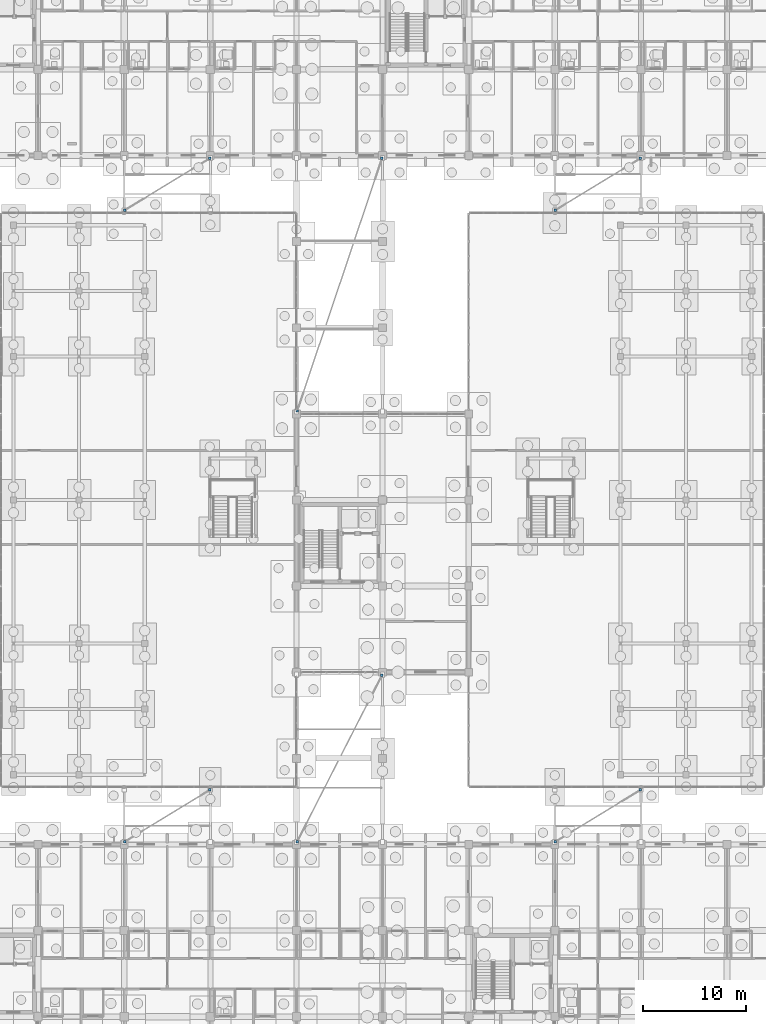
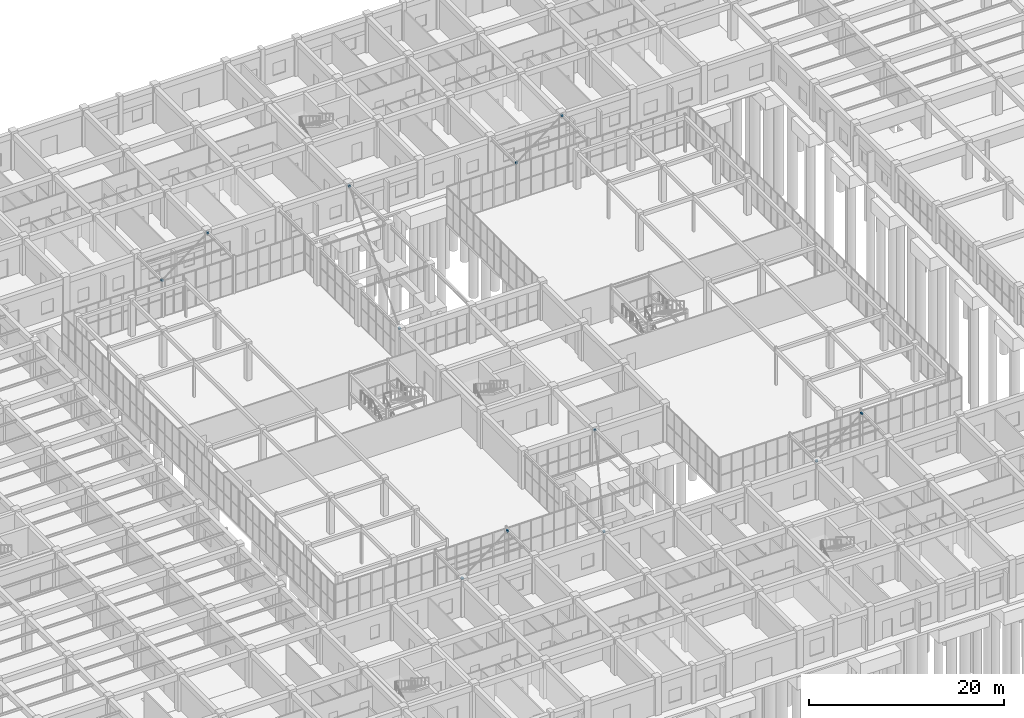
# One storey, part 176 of 192: 12 discrete accessories.
"""IFC4 building model written with IfcOpenShell, lengths in metres."""

from ifc_helpers import new_model, si_unit, direction, frame, origin, origin_2d, place, context, subcontext, project, spatial, rectangle, extrude, material, type_object, element, save


model = new_model("IFC4")

# Units and contexts
model_context = context("Model", 3, precision=1e-05, world=origin(), true_north=direction((0.0, 1.0)))
body_context = subcontext(model_context, "Body", "Model", "MODEL_VIEW")
ifc_project = project(units=[si_unit("LENGTHUNIT", "METRE"), si_unit("AREAUNIT", "SQUARE_METRE"), si_unit("VOLUMEUNIT", "CUBIC_METRE"), si_unit("PLANEANGLEUNIT", "RADIAN"), si_unit("MASSUNIT", "GRAM", prefix="KILO")], contexts=[model_context])

# Site, building, storey
site_placement = place(None, origin())
site = spatial("IfcSite", under=ifc_project, at=site_placement, CompositionType="ELEMENT")
building_placement = place(site_placement, origin())
building = spatial("IfcBuilding", under=site, at=building_placement, Name="Trelvath General Hospital", CompositionType="ELEMENT")
storey_placement = place(building_placement, origin())
storey = spatial("IfcBuildingStorey", under=building, at=storey_placement, Name="L00", CompositionType="ELEMENT", Elevation=0.0)

# Discrete accessories
ifc_material = material(Name="Steel S355", Category="steel")
discrete_accessory_type = type_object("IfcDiscreteAccessoryType", Name="FacadeBracket S355", PredefinedType="BRACKET", material=ifc_material)
for number, where, z_axis, x_axis, name in (
    (1, (75.659912109375, 67.47998046875, 4.26513671875), (0.0, 0.0, 1.0), (1.0, 0.0, 0.0), "Bridge Brace Gusset Node BRG-N-C A L01"),
    (2, (83.93994140625, 92.1201171875, 4.26513671875), (0.0, 0.0, 1.0), (1.0, 0.0, 0.0), "Bridge Brace Gusset Node BRG-N-C B L01"),
    (3, (75.659912109375, 25.47998046875, 4.26513671875), (0.0, 0.0, 1.0), (1.0, 0.0, 0.0), "Bridge Brace Gusset Node BRG-S-C A L01"),
    (4, (83.93994140625, 41.719970703125, 4.26513671875), (0.0, 0.0, 1.0), (1.0, 0.0, 0.0), "Bridge Brace Gusset Node BRG-S-C B L01"),
    (5, (58.860107421875, 87.080078125, 4.2900390625), (0.0, 0.0, 1.0), (1.0, 0.0, 0.0), "Bridge Brace Gusset Node BRG-N-W A L01"),
    (6, (67.139892578125, 92.1201171875, 4.2900390625), (0.0, 0.0, 1.0), (1.0, 0.0, 0.0), "Bridge Brace Gusset Node BRG-N-W B L01"),
    (7, (58.860107421875, 25.47998046875, 4.2900390625), (0.0, 0.0, 1.0), (1.0, 0.0, 0.0), "Bridge Brace Gusset Node BRG-S-W A L01"),
    (8, (67.139892578125, 30.52001953125, 4.2900390625), (0.0, 0.0, 1.0), (1.0, 0.0, 0.0), "Bridge Brace Gusset Node BRG-S-W B L01"),
    (9, (100.860107421875, 87.080078125, 4.2900390625), (0.0, 0.0, 1.0), (1.0, 0.0, 0.0), "Bridge Brace Gusset Node BRG-N-E A L01"),
    (10, (109.139892578125, 92.1201171875, 4.2900390625), (0.0, 0.0, 1.0), (1.0, 0.0, 0.0), "Bridge Brace Gusset Node BRG-N-E B L01"),
    (11, (100.860107421875, 25.47998046875, 4.2900390625), (0.0, 0.0, 1.0), (1.0, 0.0, 0.0), "Bridge Brace Gusset Node BRG-S-E A L01"),
    (12, (109.139892578125, 30.52001953125, 4.2900390625), (0.0, 0.0, 1.0), (1.0, 0.0, 0.0), "Bridge Brace Gusset Node BRG-S-E B L01"),
):
    element("IfcDiscreteAccessory", number, at=place(storey_placement, frame(where, z_axis=z_axis, x_axis=x_axis)), inside=storey, type_object=discrete_accessory_type, Name=name, PredefinedType="BRACKET", context=body_context, shape_type="SweptSolid", body=[
        extrude(rectangle(XDim=0.239990234375, YDim=0.239990234375, at=origin_2d()), origin(), (0.0, 0.0, 1.0), 0.239990234375),
    ])

save(model, "model.ifc")
